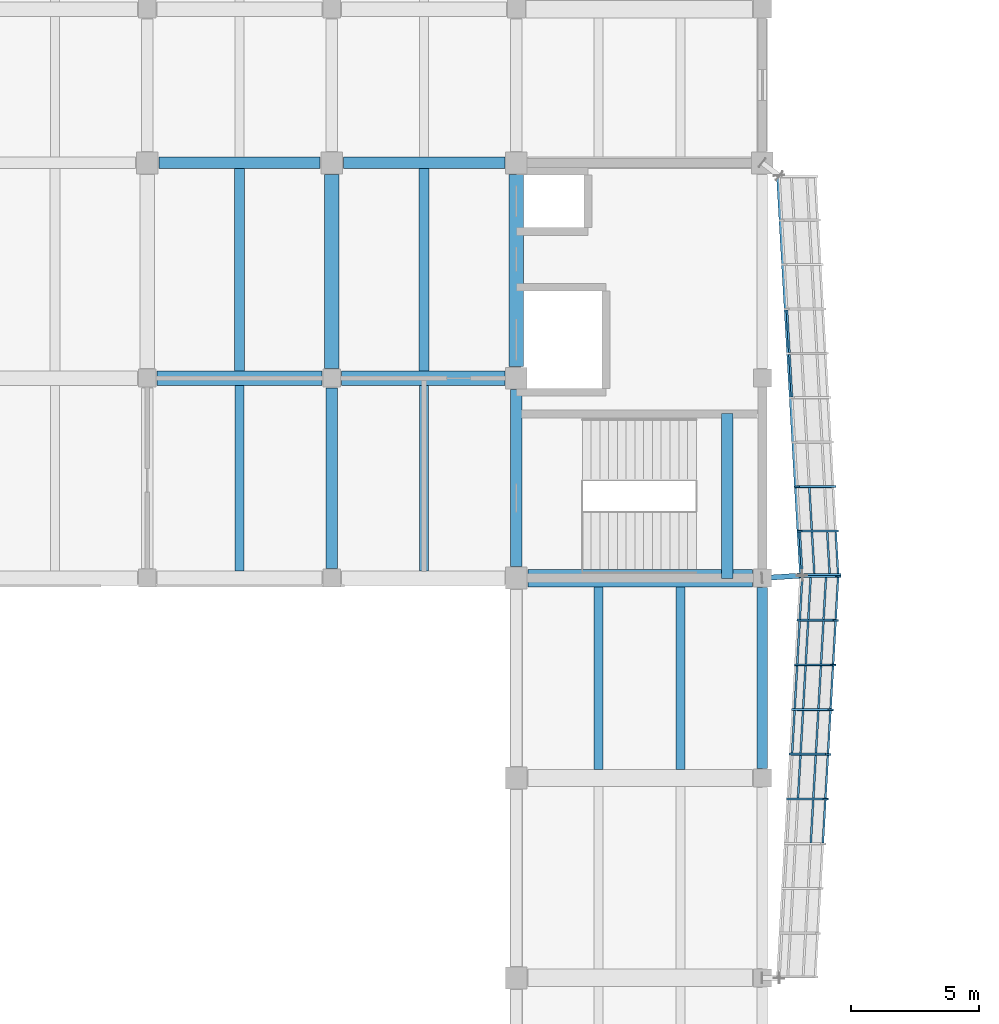
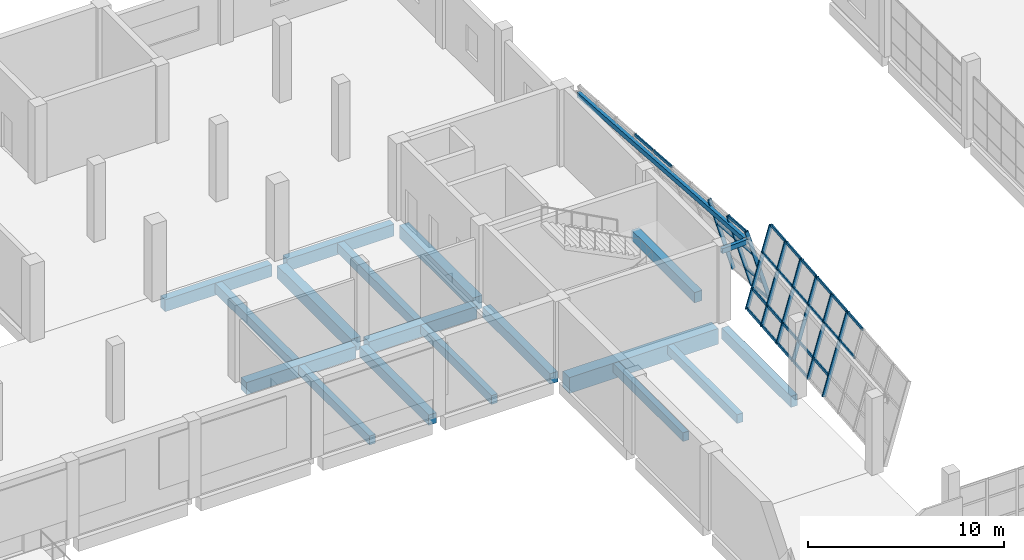
# One storey, part 47 of 91: 37 members, 19 beams, 2 elements without a shape of their own.
"""IFC4 building model written with IfcOpenShell, lengths in metres."""

from ifc_helpers import new_model, si_unit, direction, frame, origin, origin_2d, place, context, subcontext, project, spatial, rectangle, hollow_rectangle, extrude, material, material_profile, profile_set, type_object, element, aggregate, save


model = new_model("IFC4")

# Units and contexts
model_context = context("Model", 3, precision=1e-05, world=origin(), true_north=direction((0.0, 1.0)))
body_context = subcontext(model_context, "Body", "Model", "MODEL_VIEW")
ifc_project = project(units=[si_unit("LENGTHUNIT", "METRE"), si_unit("AREAUNIT", "SQUARE_METRE"), si_unit("VOLUMEUNIT", "CUBIC_METRE"), si_unit("PLANEANGLEUNIT", "RADIAN"), si_unit("MASSUNIT", "GRAM", prefix="KILO")], contexts=[model_context])

# Site, building, storey
site_placement = place(None, origin())
site = spatial("IfcSite", under=ifc_project, at=site_placement, CompositionType="ELEMENT")
building_placement = place(site_placement, origin())
building = spatial("IfcBuilding", under=site, at=building_placement, Name="Pellamere Symphony Hall", CompositionType="ELEMENT")
storey_placement = place(building_placement, frame((0.0, 0.0, 5.39990234375)))
storey = spatial("IfcBuildingStorey", under=building, at=storey_placement, Name="L01", CompositionType="ELEMENT", Elevation=5.39990234375)

# Curtain wall, members
ifc_material_1 = material(Name="Thermally Broken Anodised Aluminium 6063-T6 Curtain Wall", Category="aluminium")
curtain_wall_type = type_object("IfcCurtainWallType", Name="Curtain Wall CW-01 (Tilted Faceted Crystal Low-Iron Curtain Wall)", PredefinedType="NOTDEFINED", material=ifc_material_1)
curtain_wall_1_placement = place(storey_placement, origin())
curtain_wall_1 = element("IfcCurtainWall", 1, at=curtain_wall_1_placement, inside=storey, type_object=curtain_wall_type, Name="Crystal Faceted Curtain Wall CW-CR08 (L01)", PredefinedType="NOTDEFINED")
ifc_material_2 = material(Name="Anodised Architectural Aluminium 6063-T6", Category="aluminium")
ifc_material_profile_1 = material_profile(ifc_material_2, hollow_rectangle(XDim=0.074951171875, YDim=0.219970703125, WallThickness=0.0048828125, at=origin_2d()), Name="ALU-M75X220X5")
ifc_profile_set_1 = profile_set([ifc_material_profile_1], Name="Anodised Architectural Aluminium 6063-T6")
member_type_1 = type_object("IfcMemberType", Name="Curtain Wall Mullion ML-01 ALU-M75X220X5", PredefinedType="MULLION", material=ifc_profile_set_1)
member_1_placement = place(storey_placement, frame((119.85009765625, 68.77783203125, 0.0), z_axis=(0.283977077304, 0.0, 0.958831069358), x_axis=(-0.054874749346, -0.99836096977, 0.016252259063)))
member_1 = element("IfcMember", 2, at=member_1_placement, type_object=member_type_1, Name="CW1-013 crystal mullion 5", PredefinedType="MULLION", context=body_context, shape_type="SweptSolid", body=[
    extrude(hollow_rectangle(XDim=0.074951171875, YDim=0.219970703125, WallThickness=0.0048828125, at=origin_2d()), origin(), (0.0, 0.0, 1.0), 5.006103515625),
])
member_2_placement = place(storey_placement, frame((119.949951171875, 70.522216796875, 0.0), z_axis=(0.284021911736, 0.0, 0.9588177896), x_axis=(-0.054873989333, -0.99836096977, 0.016254824977)))
member_2 = element("IfcMember", 3, at=member_2_placement, type_object=member_type_1, Name="CW1-013 crystal mullion 6", PredefinedType="MULLION", context=body_context, shape_type="SweptSolid", body=[
    extrude(hollow_rectangle(XDim=0.074951171875, YDim=0.219970703125, WallThickness=0.0048828125, at=origin_2d()), origin(), (0.0, 0.0, 1.0), 5.006103515625),
])
member_3_placement = place(storey_placement, frame((120.050048828125, 72.2666015625, 0.0), z_axis=(0.283977077304, 0.0, 0.958831069358), x_axis=(-0.054874749346, -0.99836096977, 0.016252259063)))
member_3 = element("IfcMember", 4, at=member_3_placement, type_object=member_type_1, Name="CW1-013 crystal mullion 7", PredefinedType="MULLION", context=body_context, shape_type="SweptSolid", body=[
    extrude(hollow_rectangle(XDim=0.074951171875, YDim=0.219970703125, WallThickness=0.0048828125, at=origin_2d()), origin(), (0.0, 0.0, 1.0), 5.006103515625),
])
member_4_placement = place(storey_placement, frame((120.14990234375, 74.01123046875, 0.0), z_axis=(0.284021911736, 0.0, 0.9588177896), x_axis=(-0.054873989333, -0.99836096977, 0.016254824977)))
member_4 = element("IfcMember", 5, at=member_4_placement, type_object=member_type_1, Name="CW1-013 crystal mullion 8", PredefinedType="MULLION", context=body_context, shape_type="SweptSolid", body=[
    extrude(hollow_rectangle(XDim=0.074951171875, YDim=0.219970703125, WallThickness=0.0048828125, at=origin_2d()), origin(), (0.0, 0.0, 1.0), 5.006103515625),
])
member_5_placement = place(storey_placement, frame((120.25, 75.755615234375, 0.0), z_axis=(0.284021911736, 0.0, 0.9588177896), x_axis=(-0.054873989333, -0.99836096977, 0.016254824977)))
member_5 = element("IfcMember", 6, at=member_5_placement, type_object=member_type_1, Name="CW1-013 crystal mullion 9", PredefinedType="MULLION", context=body_context, shape_type="SweptSolid", body=[
    extrude(hollow_rectangle(XDim=0.074951171875, YDim=0.219970703125, WallThickness=0.0048828125, at=origin_2d()), origin(), (0.0, 0.0, 1.0), 5.006103515625),
])
member_6_placement = place(storey_placement, frame((120.347900390625, 77.462646484375, 0.0), z_axis=(0.284021911736, 0.0, 0.9588177896), x_axis=(-0.054873989333, -0.99836096977, 0.016254824977)))
member_6 = element("IfcMember", 7, at=member_6_placement, type_object=member_type_1, Name="CW1-013 crystal mullion 10", PredefinedType="MULLION", context=body_context, shape_type="SweptSolid", body=[
    extrude(hollow_rectangle(XDim=0.074951171875, YDim=0.219970703125, WallThickness=0.0048828125, at=origin_2d()), origin(), (0.0, 0.0, 1.0), 5.006103515625),
])

curtain_wall_2_placement = place(storey_placement, origin())
curtain_wall_2 = element("IfcCurtainWall", 8, at=curtain_wall_2_placement, inside=storey, type_object=curtain_wall_type, Name="Crystal Faceted Curtain Wall CW-CR09 (L01)", PredefinedType="NOTDEFINED")
member_7_placement = place(storey_placement, frame((121.76953125, 77.537353515625, 0.0), z_axis=(-0.283977077304, 0.0, 0.958831069358), x_axis=(-0.055225347331, 0.998339941676, -0.016356095697)))
member_7 = element("IfcMember", 9, at=member_7_placement, type_object=member_type_1, Name="CW1-018 crystal mullion 1", PredefinedType="MULLION", context=body_context, shape_type="SweptSolid", body=[
    extrude(hollow_rectangle(XDim=0.074951171875, YDim=0.219970703125, WallThickness=0.0048828125, at=origin_2d()), origin(), (0.0, 0.0, 1.0), 5.006103515625),
])
member_8_placement = place(storey_placement, frame((121.671875, 79.2333984375, 0.0), z_axis=(-0.284021911736, 0.0, 0.9588177896), x_axis=(-0.055224582463, 0.998339941676, -0.016358678005)))
member_8 = element("IfcMember", 10, at=member_8_placement, type_object=member_type_1, Name="CW1-018 crystal mullion 2", PredefinedType="MULLION", context=body_context, shape_type="SweptSolid", body=[
    extrude(hollow_rectangle(XDim=0.074951171875, YDim=0.219970703125, WallThickness=0.0048828125, at=origin_2d()), origin(), (0.0, 0.0, 1.0), 5.006103515625),
])
member_9_placement = place(storey_placement, frame((121.57177734375, 80.966552734375, 0.0), z_axis=(-0.284021911736, 0.0, 0.9588177896), x_axis=(-0.055224582463, 0.998339941676, -0.016358678005)))
member_9 = element("IfcMember", 11, at=member_9_placement, type_object=member_type_1, Name="CW1-018 crystal mullion 3", PredefinedType="MULLION", context=body_context, shape_type="SweptSolid", body=[
    extrude(hollow_rectangle(XDim=0.074951171875, YDim=0.219970703125, WallThickness=0.0048828125, at=origin_2d()), origin(), (0.0, 0.0, 1.0), 5.006103515625),
])

# Member
ifc_material_profile_2 = material_profile(ifc_material_2, hollow_rectangle(XDim=0.074951171875, YDim=0.179931640625, WallThickness=0.0048828125, at=origin_2d()), Name="ALU-T75X180X5")
ifc_profile_set_2 = profile_set([ifc_material_profile_2], Name="Anodised Architectural Aluminium 6063-T6")
member_type_2 = type_object("IfcMemberType", Name="Curtain Wall Transom TR-01 ALU-T75X180X5", PredefinedType="USERDEFINED", material=ifc_profile_set_2)
member_10_placement = place(storey_placement, frame((120.6904296875, 67.07080078125, 3.168212890625), z_axis=(0.057232737422, 0.998360863499, 0.0), x_axis=(-0.998360863499, 0.057232737422, 0.0)))
member_10 = element("IfcMember", 12, at=member_10_placement, type_object=member_type_2, Name="CW1-013 crystal transom 4.3", ObjectType="TRANSOM", PredefinedType="USERDEFINED", context=body_context, shape_type="SweptSolid", body=[
    extrude(hollow_rectangle(XDim=0.074951171875, YDim=0.179931640625, WallThickness=0.0048828125, at=origin_2d()), origin(), (0.0, 0.0, 1.0), 1.672119140625),
])

member_11_placement = place(storey_placement, frame((121.163330078125, 67.07080078125, 4.76416015625), z_axis=(0.057232737422, 0.998360863499, 0.0), x_axis=(-0.998360863499, 0.057232737422, 0.0)))
member_11 = element("IfcMember", 13, at=member_11_placement, type_object=member_type_2, Name="CW1-013 crystal transom 4.4", ObjectType="TRANSOM", PredefinedType="USERDEFINED", context=body_context, shape_type="SweptSolid", body=[
    extrude(hollow_rectangle(XDim=0.074951171875, YDim=0.179931640625, WallThickness=0.0048828125, at=origin_2d()), origin(), (0.0, 0.0, 1.0), 1.672119140625),
])

member_12_placement = place(storey_placement, frame((120.193359375, 68.815185546875, 1.152099609375), z_axis=(0.057224396245, 0.998361341637, 0.0), x_axis=(-0.998361341637, 0.057224396245, 0.0)))
member_12 = element("IfcMember", 14, at=member_12_placement, type_object=member_type_2, Name="CW1-013 crystal transom 5.2", ObjectType="TRANSOM", PredefinedType="USERDEFINED", context=body_context, shape_type="SweptSolid", body=[
    extrude(hollow_rectangle(XDim=0.074951171875, YDim=0.179931640625, WallThickness=0.0048828125, at=origin_2d()), origin(), (0.0, 0.0, 1.0), 1.67236328125),
])

member_13_placement = place(storey_placement, frame((120.79052734375, 68.815185546875, 3.168212890625), z_axis=(0.057224396245, 0.998361341637, 0.0), x_axis=(-0.998361341637, 0.057224396245, 0.0)))
member_13 = element("IfcMember", 15, at=member_13_placement, type_object=member_type_2, Name="CW1-013 crystal transom 5.3", ObjectType="TRANSOM", PredefinedType="USERDEFINED", context=body_context, shape_type="SweptSolid", body=[
    extrude(hollow_rectangle(XDim=0.074951171875, YDim=0.179931640625, WallThickness=0.0048828125, at=origin_2d()), origin(), (0.0, 0.0, 1.0), 1.67236328125),
])

member_14_placement = place(storey_placement, frame((121.26318359375, 68.815185546875, 4.76416015625), z_axis=(0.057224396245, 0.998361341637, 0.0), x_axis=(-0.998361341637, 0.057224396245, 0.0)))
member_14 = element("IfcMember", 16, at=member_14_placement, type_object=member_type_2, Name="CW1-013 crystal transom 5.4", ObjectType="TRANSOM", PredefinedType="USERDEFINED", context=body_context, shape_type="SweptSolid", body=[
    extrude(hollow_rectangle(XDim=0.074951171875, YDim=0.179931640625, WallThickness=0.0048828125, at=origin_2d()), origin(), (0.0, 0.0, 1.0), 1.67236328125),
])

member_15_placement = place(storey_placement, frame((119.962890625, 70.5595703125, 0.0361328125), z_axis=(0.057224396245, 0.998361341637, 0.0), x_axis=(-0.998361341637, 0.057224396245, 0.0)))
member_15 = element("IfcMember", 17, at=member_15_placement, type_object=member_type_2, Name="CW1-013 crystal transom 6.1", ObjectType="TRANSOM", PredefinedType="USERDEFINED", context=body_context, shape_type="SweptSolid", body=[
    extrude(hollow_rectangle(XDim=0.074951171875, YDim=0.179931640625, WallThickness=0.0048828125, at=origin_2d()), origin(), (0.0, 0.0, 1.0), 1.67236328125),
])

member_16_placement = place(storey_placement, frame((120.29345703125, 70.5595703125, 1.152099609375), z_axis=(0.057224396245, 0.998361341637, 0.0), x_axis=(-0.998361341637, 0.057224396245, 0.0)))
member_16 = element("IfcMember", 18, at=member_16_placement, type_object=member_type_2, Name="CW1-013 crystal transom 6.2", ObjectType="TRANSOM", PredefinedType="USERDEFINED", context=body_context, shape_type="SweptSolid", body=[
    extrude(hollow_rectangle(XDim=0.074951171875, YDim=0.179931640625, WallThickness=0.0048828125, at=origin_2d()), origin(), (0.0, 0.0, 1.0), 1.67236328125),
])

member_17_placement = place(storey_placement, frame((120.890625, 70.5595703125, 3.168212890625), z_axis=(0.057224396245, 0.998361341637, 0.0), x_axis=(-0.998361341637, 0.057224396245, 0.0)))
member_17 = element("IfcMember", 19, at=member_17_placement, type_object=member_type_2, Name="CW1-013 crystal transom 6.3", ObjectType="TRANSOM", PredefinedType="USERDEFINED", context=body_context, shape_type="SweptSolid", body=[
    extrude(hollow_rectangle(XDim=0.074951171875, YDim=0.179931640625, WallThickness=0.0048828125, at=origin_2d()), origin(), (0.0, 0.0, 1.0), 1.67236328125),
])

member_18_placement = place(storey_placement, frame((121.36328125, 70.5595703125, 4.76416015625), z_axis=(0.057224396245, 0.998361341637, 0.0), x_axis=(-0.998361341637, 0.057224396245, 0.0)))
member_18 = element("IfcMember", 20, at=member_18_placement, type_object=member_type_2, Name="CW1-013 crystal transom 6.4", ObjectType="TRANSOM", PredefinedType="USERDEFINED", context=body_context, shape_type="SweptSolid", body=[
    extrude(hollow_rectangle(XDim=0.074951171875, YDim=0.179931640625, WallThickness=0.0048828125, at=origin_2d()), origin(), (0.0, 0.0, 1.0), 1.67236328125),
])

member_19_placement = place(storey_placement, frame((120.062744140625, 72.30419921875, 0.0361328125), z_axis=(0.057232737422, 0.998360863499, 0.0), x_axis=(-0.998360863499, 0.057232737422, 0.0)))
member_19 = element("IfcMember", 21, at=member_19_placement, type_object=member_type_2, Name="CW1-013 crystal transom 7.1", ObjectType="TRANSOM", PredefinedType="USERDEFINED", context=body_context, shape_type="SweptSolid", body=[
    extrude(hollow_rectangle(XDim=0.074951171875, YDim=0.179931640625, WallThickness=0.0048828125, at=origin_2d()), origin(), (0.0, 0.0, 1.0), 1.672119140625),
])

member_20_placement = place(storey_placement, frame((120.393310546875, 72.30419921875, 1.152099609375), z_axis=(0.057232737422, 0.998360863499, 0.0), x_axis=(-0.998360863499, 0.057232737422, 0.0)))
member_20 = element("IfcMember", 22, at=member_20_placement, type_object=member_type_2, Name="CW1-013 crystal transom 7.2", ObjectType="TRANSOM", PredefinedType="USERDEFINED", context=body_context, shape_type="SweptSolid", body=[
    extrude(hollow_rectangle(XDim=0.074951171875, YDim=0.179931640625, WallThickness=0.0048828125, at=origin_2d()), origin(), (0.0, 0.0, 1.0), 1.672119140625),
])

member_21_placement = place(storey_placement, frame((120.990478515625, 72.30419921875, 3.168212890625), z_axis=(0.057232737422, 0.998360863499, 0.0), x_axis=(-0.998360863499, 0.057232737422, 0.0)))
member_21 = element("IfcMember", 23, at=member_21_placement, type_object=member_type_2, Name="CW1-013 crystal transom 7.3", ObjectType="TRANSOM", PredefinedType="USERDEFINED", context=body_context, shape_type="SweptSolid", body=[
    extrude(hollow_rectangle(XDim=0.074951171875, YDim=0.179931640625, WallThickness=0.0048828125, at=origin_2d()), origin(), (0.0, 0.0, 1.0), 1.672119140625),
])

member_22_placement = place(storey_placement, frame((121.46337890625, 72.30419921875, 4.76416015625), z_axis=(0.057232737422, 0.998360863499, 0.0), x_axis=(-0.998360863499, 0.057232737422, 0.0)))
member_22 = element("IfcMember", 24, at=member_22_placement, type_object=member_type_2, Name="CW1-013 crystal transom 7.4", ObjectType="TRANSOM", PredefinedType="USERDEFINED", context=body_context, shape_type="SweptSolid", body=[
    extrude(hollow_rectangle(XDim=0.074951171875, YDim=0.179931640625, WallThickness=0.0048828125, at=origin_2d()), origin(), (0.0, 0.0, 1.0), 1.672119140625),
])

member_23_placement = place(storey_placement, frame((120.162841796875, 74.048583984375, 0.0361328125), z_axis=(0.057232737422, 0.998360863499, 0.0), x_axis=(-0.998360863499, 0.057232737422, 0.0)))
member_23 = element("IfcMember", 25, at=member_23_placement, type_object=member_type_2, Name="CW1-013 crystal transom 8.1", ObjectType="TRANSOM", PredefinedType="USERDEFINED", context=body_context, shape_type="SweptSolid", body=[
    extrude(hollow_rectangle(XDim=0.074951171875, YDim=0.179931640625, WallThickness=0.0048828125, at=origin_2d()), origin(), (0.0, 0.0, 1.0), 1.672119140625),
])

member_24_placement = place(storey_placement, frame((120.493408203125, 74.048583984375, 1.152099609375), z_axis=(0.057232737422, 0.998360863499, 0.0), x_axis=(-0.998360863499, 0.057232737422, 0.0)))
member_24 = element("IfcMember", 26, at=member_24_placement, type_object=member_type_2, Name="CW1-013 crystal transom 8.2", ObjectType="TRANSOM", PredefinedType="USERDEFINED", context=body_context, shape_type="SweptSolid", body=[
    extrude(hollow_rectangle(XDim=0.074951171875, YDim=0.179931640625, WallThickness=0.0048828125, at=origin_2d()), origin(), (0.0, 0.0, 1.0), 1.672119140625),
])

member_25_placement = place(storey_placement, frame((121.090576171875, 74.048583984375, 3.168212890625), z_axis=(0.057232737422, 0.998360863499, 0.0), x_axis=(-0.998360863499, 0.057232737422, 0.0)))
member_25 = element("IfcMember", 27, at=member_25_placement, type_object=member_type_2, Name="CW1-013 crystal transom 8.3", ObjectType="TRANSOM", PredefinedType="USERDEFINED", context=body_context, shape_type="SweptSolid", body=[
    extrude(hollow_rectangle(XDim=0.074951171875, YDim=0.179931640625, WallThickness=0.0048828125, at=origin_2d()), origin(), (0.0, 0.0, 1.0), 1.672119140625),
])

member_26_placement = place(storey_placement, frame((121.563232421875, 74.048583984375, 4.76416015625), z_axis=(0.057232737422, 0.998360863499, 0.0), x_axis=(-0.998360863499, 0.057232737422, 0.0)))
member_26 = element("IfcMember", 28, at=member_26_placement, type_object=member_type_2, Name="CW1-013 crystal transom 8.4", ObjectType="TRANSOM", PredefinedType="USERDEFINED", context=body_context, shape_type="SweptSolid", body=[
    extrude(hollow_rectangle(XDim=0.074951171875, YDim=0.179931640625, WallThickness=0.0048828125, at=origin_2d()), origin(), (0.0, 0.0, 1.0), 1.672119140625),
])

member_27_placement = place(storey_placement, frame((120.2626953125, 75.79296875, 0.0361328125), z_axis=(0.057347500779, 0.998354277877, 0.0), x_axis=(-0.998354277877, 0.057347500779, 0.0)))
member_27 = element("IfcMember", 29, at=member_27_placement, type_object=member_type_2, Name="CW1-013 crystal transom 9.1", ObjectType="TRANSOM", PredefinedType="USERDEFINED", context=body_context, shape_type="SweptSolid", body=[
    extrude(hollow_rectangle(XDim=0.074951171875, YDim=0.179931640625, WallThickness=0.0048828125, at=origin_2d()), origin(), (0.0, 0.0, 1.0), 1.634765625),
])

member_28_placement = place(storey_placement, frame((120.59326171875, 75.79296875, 1.152099609375), z_axis=(0.057347500779, 0.998354277877, 0.0), x_axis=(-0.998354277877, 0.057347500779, 0.0)))
member_28 = element("IfcMember", 30, at=member_28_placement, type_object=member_type_2, Name="CW1-013 crystal transom 9.2", ObjectType="TRANSOM", PredefinedType="USERDEFINED", context=body_context, shape_type="SweptSolid", body=[
    extrude(hollow_rectangle(XDim=0.074951171875, YDim=0.179931640625, WallThickness=0.0048828125, at=origin_2d()), origin(), (0.0, 0.0, 1.0), 1.634765625),
])

member_29_placement = place(storey_placement, frame((121.1904296875, 75.79296875, 3.168212890625), z_axis=(0.057347500779, 0.998354277877, 0.0), x_axis=(-0.998354277877, 0.057347500779, 0.0)))
member_29 = element("IfcMember", 31, at=member_29_placement, type_object=member_type_2, Name="CW1-013 crystal transom 9.3", ObjectType="TRANSOM", PredefinedType="USERDEFINED", context=body_context, shape_type="SweptSolid", body=[
    extrude(hollow_rectangle(XDim=0.074951171875, YDim=0.179931640625, WallThickness=0.0048828125, at=origin_2d()), origin(), (0.0, 0.0, 1.0), 1.634765625),
])

member_30_placement = place(storey_placement, frame((121.663330078125, 75.79296875, 4.76416015625), z_axis=(0.057198647566, 0.998362817175, 0.0), x_axis=(-0.998362817175, 0.057198647566, 0.0)))
member_30 = element("IfcMember", 32, at=member_30_placement, type_object=member_type_2, Name="CW1-013 crystal transom 9.4", ObjectType="TRANSOM", PredefinedType="USERDEFINED", context=body_context, shape_type="SweptSolid", body=[
    extrude(hollow_rectangle(XDim=0.074951171875, YDim=0.179931640625, WallThickness=0.0048828125, at=origin_2d()), origin(), (0.0, 0.0, 1.0), 1.634765625),
])

aggregate(curtain_wall_1, [member_1, member_2, member_3, member_4, member_5, member_6, member_10, member_11, member_12, member_13, member_14, member_15, member_16, member_17, member_18, member_19, member_20, member_21, member_22, member_23, member_24, member_25, member_26, member_27, member_28, member_29, member_30])

member_31_placement = place(storey_placement, frame((121.7568359375, 77.574951171875, 0.0361328125), z_axis=(-0.057593652861, 0.998340107954, 0.0), x_axis=(-0.998340107954, -0.057593652861, 0.0)))
member_31 = element("IfcMember", 33, at=member_31_placement, type_object=member_type_2, Name="CW1-018 crystal transom 1.1", ObjectType="TRANSOM", PredefinedType="USERDEFINED", context=body_context, shape_type="SweptSolid", body=[
    extrude(hollow_rectangle(XDim=0.074951171875, YDim=0.179931640625, WallThickness=0.0048828125, at=origin_2d()), origin(), (0.0, 0.0, 1.0), 1.62353515625),
])

member_32_placement = place(storey_placement, frame((121.42626953125, 77.574951171875, 1.152099609375), z_axis=(-0.057593652861, 0.998340107954, 0.0), x_axis=(-0.998340107954, -0.057593652861, 0.0)))
member_32 = element("IfcMember", 34, at=member_32_placement, type_object=member_type_2, Name="CW1-018 crystal transom 1.2", ObjectType="TRANSOM", PredefinedType="USERDEFINED", context=body_context, shape_type="SweptSolid", body=[
    extrude(hollow_rectangle(XDim=0.074951171875, YDim=0.179931640625, WallThickness=0.0048828125, at=origin_2d()), origin(), (0.0, 0.0, 1.0), 1.62353515625),
])

member_33_placement = place(storey_placement, frame((120.8291015625, 77.574951171875, 3.168212890625), z_axis=(-0.057593652861, 0.998340107954, 0.0), x_axis=(-0.998340107954, -0.057593652861, 0.0)))
member_33 = element("IfcMember", 35, at=member_33_placement, type_object=member_type_2, Name="CW1-018 crystal transom 1.3", ObjectType="TRANSOM", PredefinedType="USERDEFINED", context=body_context, shape_type="SweptSolid", body=[
    extrude(hollow_rectangle(XDim=0.074951171875, YDim=0.179931640625, WallThickness=0.0048828125, at=origin_2d()), origin(), (0.0, 0.0, 1.0), 1.62353515625),
])

member_34_placement = place(storey_placement, frame((120.3564453125, 77.574951171875, 4.76416015625), z_axis=(-0.057743527187, 0.998331450505, 0.0), x_axis=(-0.998331450505, -0.057743527187, 0.0)))
member_34 = element("IfcMember", 36, at=member_34_placement, type_object=member_type_2, Name="CW1-018 crystal transom 1.4", ObjectType="TRANSOM", PredefinedType="USERDEFINED", context=body_context, shape_type="SweptSolid", body=[
    extrude(hollow_rectangle(XDim=0.074951171875, YDim=0.179931640625, WallThickness=0.0048828125, at=origin_2d()), origin(), (0.0, 0.0, 1.0), 1.62353515625),
])

member_35_placement = place(storey_placement, frame((120.731201171875, 79.270751953125, 3.168212890625), z_axis=(-0.057610619545, 0.998339129012, 0.0), x_axis=(-0.998339129012, -0.057610619545, 0.0)))
member_35 = element("IfcMember", 37, at=member_35_placement, type_object=member_type_2, Name="CW1-018 crystal transom 2.3", ObjectType="TRANSOM", PredefinedType="USERDEFINED", context=body_context, shape_type="SweptSolid", body=[
    extrude(hollow_rectangle(XDim=0.074951171875, YDim=0.179931640625, WallThickness=0.0048828125, at=origin_2d()), origin(), (0.0, 0.0, 1.0), 1.6611328125),
])

member_36_placement = place(storey_placement, frame((119.95849609375, 84.470703125, 4.76416015625), z_axis=(-0.057610619545, 0.998339129012, 0.0), x_axis=(-0.998339129012, -0.057610619545, 0.0)))
member_36 = element("IfcMember", 38, at=member_36_placement, type_object=member_type_2, Name="CW1-018 crystal transom 5.4", ObjectType="TRANSOM", PredefinedType="USERDEFINED", context=body_context, shape_type="SweptSolid", body=[
    extrude(hollow_rectangle(XDim=0.074951171875, YDim=0.179931640625, WallThickness=0.0048828125, at=origin_2d()), origin(), (0.0, 0.0, 1.0), 1.6611328125),
])

member_37_placement = place(storey_placement, frame((119.8583984375, 86.2041015625, 4.76416015625), z_axis=(-0.057610619545, 0.998339129012, 0.0), x_axis=(-0.998339129012, -0.057610619545, 0.0)))
member_37 = element("IfcMember", 39, at=member_37_placement, type_object=member_type_2, Name="CW1-018 crystal transom 6.4", ObjectType="TRANSOM", PredefinedType="USERDEFINED", context=body_context, shape_type="SweptSolid", body=[
    extrude(hollow_rectangle(XDim=0.074951171875, YDim=0.179931640625, WallThickness=0.0048828125, at=origin_2d()), origin(), (0.0, 0.0, 1.0), 1.6611328125),
])

aggregate(curtain_wall_2, [member_7, member_8, member_9, member_31, member_32, member_33, member_34, member_35, member_36, member_37])

# Beams
ifc_material_3 = material(Name="Concrete 40 MPa", Category="concrete")
ifc_material_profile_3 = material_profile(ifc_material_3, rectangle(XDim=0.550048828125, YDim=0.800048828125, at=origin_2d()), Name="RC 550x800")
ifc_profile_set_3 = profile_set([ifc_material_profile_3], Name="Concrete 40 MPa")
beam_type_1 = type_object("IfcBeamType", Name="RC CB-05 550x800", PredefinedType="BEAM", material=ifc_profile_set_3)
beam_1_placement = place(storey_placement, frame((102.0, 85.574951171875, -0.679931640625), z_axis=(0.0, 1.0, 0.0), x_axis=(-1.0, 0.0, 0.0)))
element("IfcBeam", 40, at=beam_1_placement, inside=storey, type_object=beam_type_1, Name="Girder CB-05-Y0806 (L01)", PredefinedType="BEAM", context=body_context, shape_type="SweptSolid", body=[
    extrude(rectangle(XDim=0.550048828125, YDim=0.800048828125, at=origin_2d()), origin(), (0.0, 0.0, 1.0), 7.574951171875),
])
beam_2_placement = place(storey_placement, frame((109.199951171875, 85.64990234375, -0.679931640625), z_axis=(0.0, 1.0, 0.0), x_axis=(-1.0, 0.0, 0.0)))
element("IfcBeam", 41, at=beam_2_placement, inside=storey, type_object=beam_type_1, Name="Girder CB-05-Y0819 (L01)", PredefinedType="BEAM", context=body_context, shape_type="SweptSolid", body=[
    extrude(rectangle(XDim=0.550048828125, YDim=0.800048828125, at=origin_2d()), origin(), (0.0, 0.0, 1.0), 7.5),
])
ifc_material_profile_4 = material_profile(ifc_material_3, rectangle(XDim=0.449951171875, YDim=0.64990234375, at=origin_2d()), Name="RC 450x650")
ifc_profile_set_4 = profile_set([ifc_material_profile_4], Name="Concrete 40 MPa")
beam_type_2 = type_object("IfcBeamType", Name="RC CB-08 450x650", PredefinedType="BEAM", material=ifc_profile_set_4)
beam_3_placement = place(storey_placement, frame((102.0, 77.77490234375, -0.60498046875), z_axis=(0.0, 1.0, 0.0), x_axis=(-1.0, 0.0, 0.0)))
element("IfcBeam", 42, at=beam_3_placement, inside=storey, type_object=beam_type_2, Name="Girder CB-08-Y0805 (L01)", PredefinedType="BEAM", context=body_context, shape_type="SweptSolid", body=[
    extrude(rectangle(XDim=0.449951171875, YDim=0.64990234375, at=origin_2d()), origin(), (0.0, 0.0, 1.0), 7.050048828125),
])
beam_4_placement = place(storey_placement, frame((109.199951171875, 77.85009765625, -0.60498046875), z_axis=(0.0, 1.0, 0.0), x_axis=(-1.0, 0.0, 0.0)))
element("IfcBeam", 43, at=beam_4_placement, inside=storey, type_object=beam_type_2, Name="Girder CB-08-Y0818 (L01)", PredefinedType="BEAM", context=body_context, shape_type="SweptSolid", body=[
    extrude(rectangle(XDim=0.449951171875, YDim=0.64990234375, at=origin_2d()), origin(), (0.0, 0.0, 1.0), 6.89990234375),
])
beam_5_placement = place(storey_placement, frame((117.4326171875, 77.3798828125, 1.85498046875), z_axis=(0.0, 1.0, 0.0), x_axis=(-1.0, 0.0, 0.0)))
element("IfcBeam", 44, at=beam_5_placement, inside=storey, type_object=beam_type_2, Name="Stair ST04-L01 Half Landing Support Beam (L01)", PredefinedType="BEAM", context=body_context, shape_type="SweptSolid", body=[
    extrude(rectangle(XDim=0.449951171875, YDim=0.64990234375, at=origin_2d()), origin(), (0.0, 0.0, 1.0), 6.440185546875),
])
ifc_material_profile_5 = material_profile(ifc_material_3, rectangle(XDim=0.39990234375, YDim=0.60009765625, at=origin_2d()), Name="RC 400x600")
ifc_profile_set_5 = profile_set([ifc_material_profile_5], Name="Concrete 40 MPa")
beam_type_3 = type_object("IfcBeamType", Name="RC CB-09 400x600", PredefinedType="BEAM", material=ifc_profile_set_5)
for number, where, z_axis, x_axis, name in (
    (45, (98.39990234375, 85.47998046875, -0.594970703125), (0.0, 1.0, 0.0), (-1.0, 0.0, 0.0), "Secondary Floor Beam CB-09-M1211 (L01)"),
    (46, (105.60009765625, 85.47998046875, -0.594970703125), (0.0, 1.0, 0.0), (-1.0, 0.0, 0.0), "Secondary Floor Beam CB-09-M1311 (L01)"),
):
    element("IfcBeam", number, at=place(storey_placement, frame(where, z_axis=z_axis, x_axis=x_axis)), inside=storey, type_object=beam_type_3, Name=name, PredefinedType="BEAM", context=body_context, shape_type="SweptSolid", body=[
        extrude(rectangle(XDim=0.39990234375, YDim=0.60009765625, at=origin_2d()), origin(), (0.0, 0.0, 1.0), 7.89501953125),
    ])
ifc_material_4 = material(Name="Concrete 35 MPa", Category="concrete")
ifc_material_profile_6 = material_profile(ifc_material_4, rectangle(XDim=0.35009765625, YDim=0.550048828125, at=origin_2d()), Name="RC 350x550")
ifc_profile_set_6 = profile_set([ifc_material_profile_6], Name="Concrete 35 MPa")
beam_type_4 = type_object("IfcBeamType", Name="RC CB-10 350x550", PredefinedType="BEAM", material=ifc_profile_set_6)
for number, where, z_axis, x_axis, name in (
    (47, (98.39990234375, 77.679931640625, -0.56982421875), (0.0, 1.0, 0.0), (-1.0, 0.0, 0.0), "Secondary Floor Beam CB-10-M1210 (L01)"),
    (48, (105.60009765625, 77.679931640625, -0.56982421875), (0.0, 1.0, 0.0), (-1.0, 0.0, 0.0), "Secondary Floor Beam CB-10-M1310 (L01)"),
):
    element("IfcBeam", number, at=place(storey_placement, frame(where, z_axis=z_axis, x_axis=x_axis)), inside=storey, type_object=beam_type_4, Name=name, PredefinedType="BEAM", context=body_context, shape_type="SweptSolid", body=[
        extrude(rectangle(XDim=0.35009765625, YDim=0.550048828125, at=origin_2d()), origin(), (0.0, 0.0, 1.0), 7.239990234375),
    ])
for number, where, z_axis, x_axis, name in (
    (49, (112.39990234375, 69.93994140625, -0.56982421875), (0.0, 1.0, 0.0), (-1.0, 0.0, 0.0), "Secondary Floor Beam CB-10-A1409 (L01)"),
    (50, (115.60009765625, 69.93994140625, -0.56982421875), (0.0, 1.0, 0.0), (-1.0, 0.0, 0.0), "Secondary Floor Beam CB-10-B1409 (L01)"),
):
    element("IfcBeam", number, at=place(storey_placement, frame(where, z_axis=z_axis, x_axis=x_axis)), inside=storey, type_object=beam_type_4, Name=name, PredefinedType="BEAM", context=body_context, shape_type="SweptSolid", body=[
        extrude(rectangle(XDim=0.35009765625, YDim=0.550048828125, at=origin_2d()), origin(), (0.0, 0.0, 1.0), 7.1201171875),
    ])
ifc_material_profile_7 = material_profile(ifc_material_3, rectangle(XDim=0.449951171875, YDim=0.75, at=origin_2d()), Name="RC 450x750")
ifc_profile_set_7 = profile_set([ifc_material_profile_7], Name="Concrete 40 MPa")
beam_type_5 = type_object("IfcBeamType", Name="RC CB-12 450x750", PredefinedType="SPANDREL", material=ifc_profile_set_7)
for number, where, z_axis, x_axis, name in (
    (51, (95.25, 93.60009765625, -0.65478515625), (1.0, 0.0, 0.0), (0.0, 1.0, 0.0), "Girder CB-12-X0689 (L01)"),
    (52, (102.449951171875, 93.60009765625, -0.65478515625), (1.0, 0.0, 0.0), (0.0, 1.0, 0.0), "Girder CB-12-X0690 (L01)"),
):
    element("IfcBeam", number, at=place(storey_placement, frame(where, z_axis=z_axis, x_axis=x_axis)), inside=storey, type_object=beam_type_5, Name=name, PredefinedType="SPANDREL", context=body_context, shape_type="SweptSolid", body=[
        extrude(rectangle(XDim=0.449951171875, YDim=0.75, at=origin_2d()), origin(), (0.0, 0.0, 1.0), 6.300048828125),
    ])
ifc_material_profile_8 = material_profile(ifc_material_3, rectangle(XDim=0.39990234375, YDim=0.699951171875, at=origin_2d()), Name="RC 400x700")
ifc_profile_set_8 = profile_set([ifc_material_profile_8], Name="Concrete 40 MPa")
beam_type_6 = type_object("IfcBeamType", Name="RC CB-13 400x700", PredefinedType="SPANDREL", material=ifc_profile_set_8)
beam_6_placement = place(storey_placement, frame((118.800048828125, 69.97509765625, -0.6298828125), z_axis=(0.0, 1.0, 0.0), x_axis=(-1.0, 0.0, 0.0)))
element("IfcBeam", 53, at=beam_6_placement, inside=storey, type_object=beam_type_6, Name="Girder CB-13-Y0830 (L01)", PredefinedType="SPANDREL", context=body_context, shape_type="SweptSolid", body=[
    extrude(rectangle(XDim=0.39990234375, YDim=0.699951171875, at=origin_2d()), origin(), (0.0, 0.0, 1.0), 7.0498046875),
])
ifc_material_profile_9 = material_profile(ifc_material_3, rectangle(XDim=0.56005859375, YDim=0.760009765625, at=origin_2d()), Name="RC 560x760")
ifc_profile_set_9 = profile_set([ifc_material_profile_9], Name="Concrete 40 MPa")
beam_type_7 = type_object("IfcBeamType", Name="RC CB-18 560x760", PredefinedType="BEAM", material=ifc_profile_set_9)
beam_7_placement = place(storey_placement, frame((95.175048828125, 85.199951171875, -0.659912109375), z_axis=(1.0, 0.0, 0.0), x_axis=(0.0, 1.0, 0.0)))
element("IfcBeam", 54, at=beam_7_placement, inside=storey, type_object=beam_type_7, Name="Girder CB-18-X0677 (L01)", PredefinedType="BEAM", context=body_context, shape_type="SweptSolid", body=[
    extrude(rectangle(XDim=0.56005859375, YDim=0.760009765625, at=origin_2d()), origin(), (0.0, 0.0, 1.0), 6.449951171875),
])
beam_8_placement = place(storey_placement, frame((102.375, 85.199951171875, -0.659912109375), z_axis=(1.0, 0.0, 0.0), x_axis=(0.0, 1.0, 0.0)))
element("IfcBeam", 55, at=beam_8_placement, inside=storey, type_object=beam_type_7, Name="Girder CB-18-X0678 (L01)", PredefinedType="BEAM", context=body_context, shape_type="SweptSolid", body=[
    extrude(rectangle(XDim=0.56005859375, YDim=0.760009765625, at=origin_2d()), origin(), (0.0, 0.0, 1.0), 6.375),
])
ifc_material_profile_10 = material_profile(ifc_material_3, rectangle(XDim=0.679931640625, YDim=0.97998046875, at=origin_2d()), Name="RC 680x980")
ifc_profile_set_10 = profile_set([ifc_material_profile_10], Name="Concrete 40 MPa")
beam_type_8 = type_object("IfcBeamType", Name="RC CB-22 680x980", PredefinedType="BEAM", material=ifc_profile_set_10)
beam_9_placement = place(storey_placement, frame((109.64990234375, 77.39990234375, -0.77001953125), z_axis=(1.0, 0.0, 0.0), x_axis=(0.0, 1.0, 0.0)))
element("IfcBeam", 56, at=beam_9_placement, inside=storey, type_object=beam_type_8, Name="Girder CB-22-X0668 (L01)", PredefinedType="BEAM", context=body_context, shape_type="SweptSolid", body=[
    extrude(rectangle(XDim=0.679931640625, YDim=0.97998046875, at=origin_2d()), origin(), (0.0, 0.0, 1.0), 8.775146484375),
])
ifc_material_5 = material(Name="Steel CSA G40.21 350W", Category="steel")
ifc_material_profile_11 = material_profile(ifc_material_5, hollow_rectangle(XDim=0.203125, YDim=0.3046875, WallThickness=0.0126953125, at=origin_2d()), Name="HSS305X203X13")
ifc_profile_set_11 = profile_set([ifc_material_profile_11], Name="Steel CSA G40.21 350W")
beam_type_9 = type_object("IfcBeamType", Name="Steel Spandrel SB-26 HSS305X203X13", PredefinedType="SPANDREL", material=ifc_profile_set_11)
beam_10_placement = place(storey_placement, frame((118.800048828125, 77.39990234375, 4.239990234375), z_axis=(0.997921398046, 0.064442868672, 0.0), x_axis=(-0.064442868672, 0.997921398046, 0.0)))
element("IfcBeam", 57, at=beam_10_placement, inside=storey, type_object=beam_type_9, Name="Crystal Ring Outrigger Bracket 031 (L01)", PredefinedType="SPANDREL", context=body_context, shape_type="SweptSolid", body=[
    extrude(hollow_rectangle(XDim=0.203125, YDim=0.3046875, WallThickness=0.0126953125, at=origin_2d()), origin(), (0.0, 0.0, 1.0), 1.55322265625),
])
beam_11_placement = place(storey_placement, frame((120.35009765625, 77.5, 4.239990234375), z_axis=(-0.057605519012, 0.998339423332, 0.0), x_axis=(-0.998339423332, -0.057605519012, 0.0)))
element("IfcBeam", 58, at=beam_11_placement, inside=storey, type_object=beam_type_9, Name="Crystal Perimeter Ring Beam CW-CR09 (L01)", PredefinedType="SPANDREL", context=body_context, shape_type="SweptSolid", body=[
    extrude(hollow_rectangle(XDim=0.203125, YDim=0.3046875, WallThickness=0.0126953125, at=origin_2d()), origin(), (0.0, 0.0, 1.0), 15.6259765625),
])

save(model, "model.ifc")
